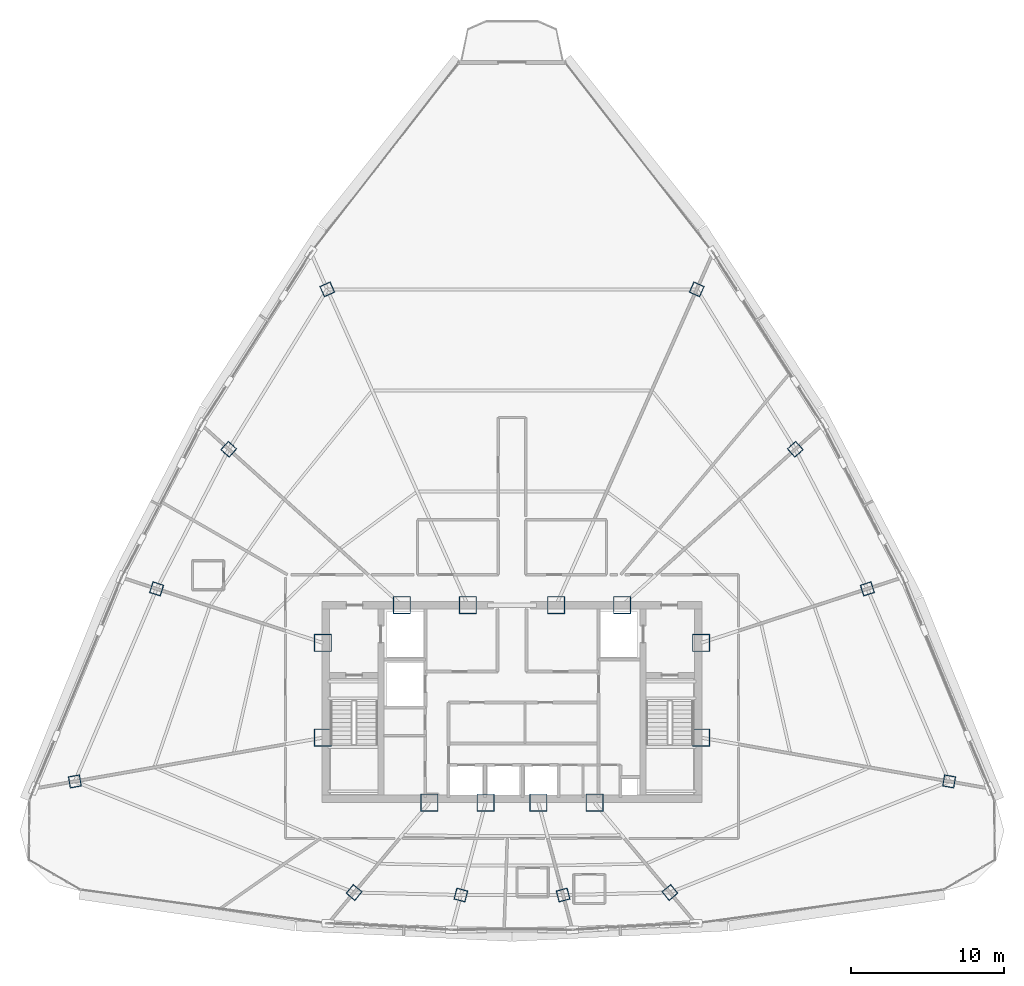
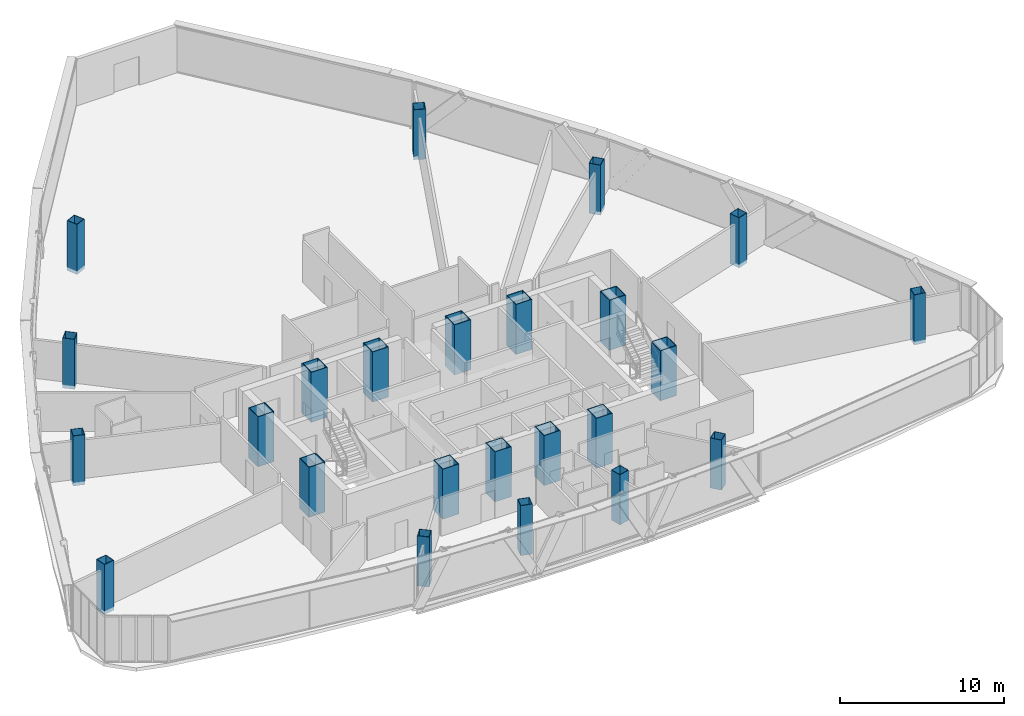
# One storey, part 1 of 40: 24 columns.
"""IFC4 building model written with IfcOpenShell, lengths in metres."""

from ifc_helpers import new_model, si_unit, direction, frame, origin, origin_2d, place, context, subcontext, project, spatial, hollow_rectangle, extrude, source, transform, mapped, material, material_profile, profile_set, type_object, element, save


model = new_model("IFC4")

# Units and contexts
model_context = context("Model", 3, precision=1e-05, world=origin(), true_north=direction((0.0, 1.0)))
body_context = subcontext(model_context, "Body", "Model", "MODEL_VIEW")
ifc_project = project(units=[si_unit("LENGTHUNIT", "METRE"), si_unit("AREAUNIT", "SQUARE_METRE"), si_unit("VOLUMEUNIT", "CUBIC_METRE"), si_unit("PLANEANGLEUNIT", "RADIAN"), si_unit("MASSUNIT", "GRAM", prefix="KILO"), si_unit("THERMODYNAMICTEMPERATUREUNIT", "KELVIN"), si_unit("POWERUNIT", "WATT")], contexts=[model_context])

# Site, building, storey
site_placement = place(None, origin())
site = spatial("IfcSite", under=ifc_project, at=site_placement, CompositionType="ELEMENT")
building_placement = place(site_placement, origin())
building = spatial("IfcBuilding", under=site, at=building_placement, Name="Yunzhuo Pagoda Commons", CompositionType="ELEMENT")
storey_placement = place(building_placement, frame((0.0, 0.0, 288.75)))
storey = spatial("IfcBuildingStorey", under=building, at=storey_placement, Name="L72", CompositionType="ELEMENT", Elevation=288.75)

# Columns
ifc_material_1 = material(Name="Structural steel Q420B", Category="steel")
ifc_material_profile_1 = material_profile(ifc_material_1, hollow_rectangle(XDim=1.14990234375, YDim=1.14990234375, WallThickness=0.048095703125, at=origin_2d()), Name="Structural steel Q420B")
ifc_profile_set_1 = profile_set([ifc_material_profile_1], Name="Structural steel Q420B")
column_type_1 = type_object("IfcColumnType", Name="C-COR Column BOX 1150x1150x48", PredefinedType="COLUMN", material=ifc_profile_set_1)
shared_shape_1 = source(origin(), body_context, "Body", "SweptSolid", [
    extrude(hollow_rectangle(XDim=1.14990234375, YDim=1.14990234375, WallThickness=0.048095703125, at=origin_2d()), origin(), (0.0, 0.0, 1.0), 3.72998046875),
])
for number, where, z_axis, x_axis, name in (
    (1, (42.587890625, 27.25, -0.260009765625), (0.0, 0.0, 1.0), (1.0, 0.0, 0.0), "L72 core composite column F1C1"),
    (2, (46.27197265625, 27.25, -0.260009765625), (0.0, 0.0, 1.0), (1.0, 0.0, 0.0), "L72 core composite column F1C2"),
    (3, (49.728515625, 27.25, -0.260009765625), (0.0, 0.0, 1.0), (1.0, 0.0, 0.0), "L72 core composite column F1C3"),
    (4, (53.412109375, 27.25, -0.260009765625), (0.0, 0.0, 1.0), (1.0, 0.0, 0.0), "L72 core composite column F1C4"),
    (5, (60.39990234375, 31.513427734375, -0.260009765625), (0.0, 0.0, 1.0), (1.0, 0.0, 0.0), "L72 core composite column F2C1"),
    (6, (60.39990234375, 37.72900390625, -0.260009765625), (0.0, 0.0, 1.0), (1.0, 0.0, 0.0), "L72 core composite column F2C2"),
    (7, (55.218994140625, 40.199951171875, -0.260009765625), (0.0, 0.0, 1.0), (1.0, 0.0, 0.0), "L72 core composite column F2C3"),
    (8, (50.89404296875, 40.199951171875, -0.260009765625), (0.0, 0.0, 1.0), (1.0, 0.0, 0.0), "L72 core composite column F2C4"),
    (9, (45.10595703125, 40.199951171875, -0.260009765625), (0.0, 0.0, 1.0), (1.0, 0.0, 0.0), "L72 core composite column F3C1"),
    (10, (40.781005859375, 40.199951171875, -0.260009765625), (0.0, 0.0, 1.0), (1.0, 0.0, 0.0), "L72 core composite column F3C2"),
    (11, (35.60009765625, 37.72900390625, -0.260009765625), (0.0, 0.0, 1.0), (1.0, 0.0, 0.0), "L72 core composite column F3C3"),
    (12, (35.60009765625, 31.513427734375, -0.260009765625), (0.0, 0.0, 1.0), (1.0, 0.0, 0.0), "L72 core composite column F3C4"),
):
    element("IfcColumn", number, at=place(storey_placement, frame(where, z_axis=z_axis, x_axis=x_axis)), inside=storey, type_object=column_type_1, Name=name, PredefinedType="COLUMN", context=body_context, shape_type="MappedRepresentation", body=[
        mapped(shared_shape_1, transform((0.0, 0.0, 0.0), scale=1.0)),
    ])
ifc_material_2 = material(Name="Structural steel Q355B", Category="steel")
ifc_material_profile_2 = material_profile(ifc_material_2, hollow_rectangle(XDim=0.75, YDim=0.75, WallThickness=0.028076171875, at=origin_2d()), Name="Structural steel Q355B")
ifc_profile_set_2 = profile_set([ifc_material_profile_2], Name="Structural steel Q355B")
column_type_2 = type_object("IfcColumnType", Name="C-Z6 Column BOX 750x750x28", PredefinedType="COLUMN", material=ifc_profile_set_2)
shared_shape_2 = source(origin(), body_context, "Body", "SweptSolid", [
    extrude(hollow_rectangle(XDim=0.75, YDim=0.75, WallThickness=0.028076171875, at=origin_2d()), origin(), (0.0, 0.0, 1.0), 3.72998046875),
])
for number, where, z_axis, x_axis, name in (
    (13, (37.64697265625, 21.361572265625, -0.260009765625), (0.0, 0.0, 1.0), (0.766044443119, -0.642787609687, 0.0), "L72 tower column F1C1"),
    (14, (44.6494140625, 21.195556640625, -0.260009765625), (0.0, 0.0, 1.0), (0.965925826289, -0.258819045103, 0.0), "L72 tower column F1C2"),
    (15, (51.3505859375, 21.195556640625, -0.260009765625), (0.0, 0.0, 1.0), (0.965925826289, 0.258819045103, 0.0), "L72 tower column F1C3"),
    (16, (58.353515625, 21.361572265625, -0.260009765625), (0.0, 0.0, 1.0), (0.766044443119, 0.642787609687, 0.0), "L72 tower column F1C4"),
    (17, (76.66162109375, 28.646240234375, -0.260009765625), (0.0, 0.0, 1.0), (0.173648177667, 0.984807753012, 0.0), "L72 tower column F2C1"),
    (18, (71.302490234375, 41.271484375, -0.260009765625), (0.0, 0.0, 1.0), (-0.309016994375, 0.951056516295, 0.0), "L72 tower column F2C2"),
    (19, (66.5732421875, 50.423583984375, -0.260009765625), (0.0, 0.0, 1.0), (-0.669130606359, 0.743144825477, 0.0), "L72 tower column F2C3"),
    (20, (60.1142578125, 60.9091796875, -0.260009765625), (0.0, 0.0, 1.0), (-0.913545457643, 0.406736643076, 0.0), "L72 tower column F2C4"),
    (21, (35.8857421875, 60.9091796875, -0.260009765625), (0.0, 0.0, 1.0), (-0.913545457643, -0.406736643076, 0.0), "L72 tower column F3C1"),
    (22, (29.4267578125, 50.423583984375, -0.260009765625), (0.0, 0.0, 1.0), (-0.669130606359, -0.743144825477, 0.0), "L72 tower column F3C2"),
    (23, (24.697509765625, 41.271484375, -0.260009765625), (0.0, 0.0, 1.0), (-0.309016994375, -0.951056516295, 0.0), "L72 tower column F3C3"),
    (24, (19.33837890625, 28.646240234375, -0.260009765625), (0.0, 0.0, 1.0), (0.173648177667, -0.984807753012, 0.0), "L72 tower column F3C4"),
):
    element("IfcColumn", number, at=place(storey_placement, frame(where, z_axis=z_axis, x_axis=x_axis)), inside=storey, type_object=column_type_2, Name=name, PredefinedType="COLUMN", context=body_context, shape_type="MappedRepresentation", body=[
        mapped(shared_shape_2, transform((0.0, 0.0, 0.0), scale=1.0)),
    ])

save(model, "model.ifc")
